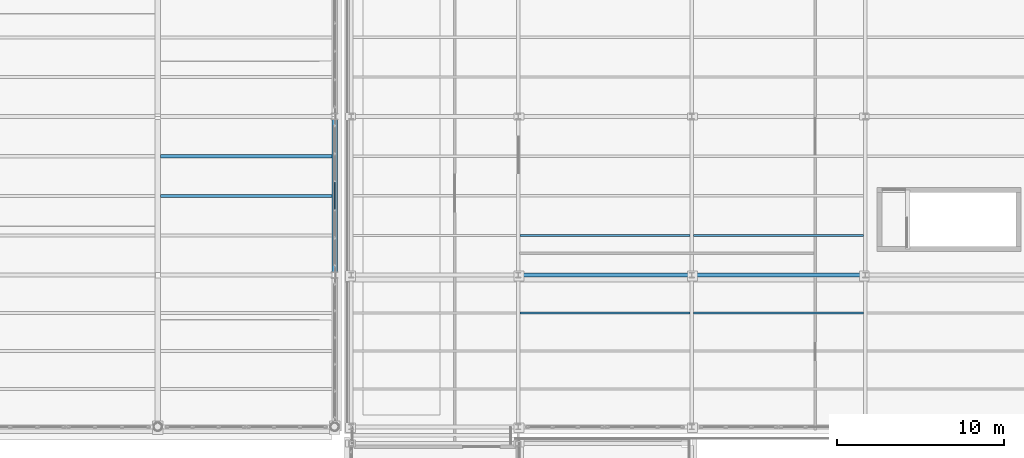
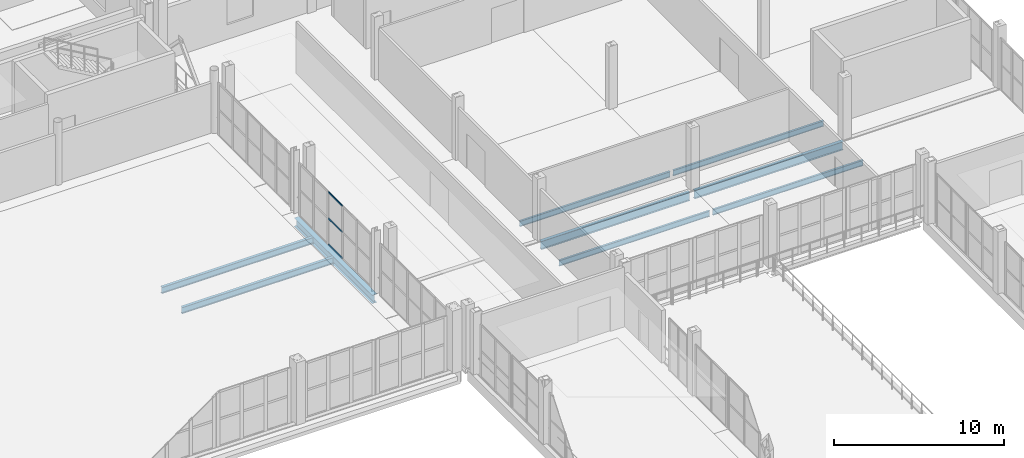
# One storey, part 88 of 156: 9 beams, 3 members, 1 element without a shape of its own.
"""IFC4 building model written with IfcOpenShell, lengths in metres."""

from ifc_helpers import new_model, si_unit, direction, frame, origin, origin_2d, place, context, subcontext, project, spatial, hollow_rectangle, i_section, extrude, material, material_profile, profile_set, type_object, element, aggregate, save


model = new_model("IFC4")

# Units and contexts
model_context = context("Model", 3, precision=1e-05, world=origin(), true_north=direction((0.0, 1.0)))
body_context = subcontext(model_context, "Body", "Model", "MODEL_VIEW")
ifc_project = project(units=[si_unit("LENGTHUNIT", "METRE"), si_unit("AREAUNIT", "SQUARE_METRE"), si_unit("VOLUMEUNIT", "CUBIC_METRE"), si_unit("PLANEANGLEUNIT", "RADIAN"), si_unit("MASSUNIT", "GRAM", prefix="KILO")], contexts=[model_context])

# Site, building, storey
site_placement = place(None, origin())
site = spatial("IfcSite", under=ifc_project, at=site_placement, CompositionType="ELEMENT")
building_placement = place(site_placement, origin())
building = spatial("IfcBuilding", under=site, at=building_placement, Name="Caurita Quay Ferry Terminal", CompositionType="ELEMENT")
storey_placement = place(building_placement, frame((0.0, 0.0, 5.39990234375)))
storey = spatial("IfcBuildingStorey", under=building, at=storey_placement, Name="L01", CompositionType="ELEMENT", Elevation=5.39990234375)

# Beams
ifc_material_1 = material(Name="Structural steel ASTM A992 Gr. 50", Category="steel")
ifc_material_profile_1 = material_profile(ifc_material_1, i_section(OverallWidth=0.3251953125, OverallDepth=0.612060546875, WebThickness=0.0126953125, FlangeThickness=0.01904296875, FilletRadius=0.01513671875, at=origin_2d()), Name="W24X104")
ifc_profile_set_1 = profile_set([ifc_material_profile_1], Name="Structural steel ASTM A992 Gr. 50")
beam_type_1 = type_object("IfcBeamType", Name="BM-GR-W24A", PredefinedType="BEAM", material=ifc_profile_set_1)
beam_1_placement = place(storey_placement, frame((131.800048828125, 43.8671875, -0.60595703125), z_axis=(0.0, 1.0, 0.0), x_axis=(-1.0, 0.0, 0.0)))
element("IfcBeam", 1, at=beam_1_placement, inside=storey, type_object=beam_type_1, Name="L01 Beam BM-V2-L01-Y-1318-439", PredefinedType="BEAM", context=body_context, shape_type="SweptSolid", body=[
    extrude(i_section(OverallWidth=0.3251953125, OverallDepth=0.612060546875, WebThickness=0.0126953125, FlangeThickness=0.01904296875, FilletRadius=0.01513671875, at=origin_2d()), origin(), (0.0, 0.0, 1.0), 9.16552734375),
])
ifc_material_profile_2 = material_profile(ifc_material_1, i_section(OverallWidth=0.22802734375, OverallDepth=0.60205078125, WebThickness=0.010498046875, FlangeThickness=0.014892578125, at=origin_2d()), Name="W24X68")
ifc_profile_set_2 = profile_set([ifc_material_profile_2], Name="Structural steel ASTM A992 Gr. 50")
beam_type_2 = type_object("IfcBeamType", Name="BM-GR-W24C", PredefinedType="BEAM", material=ifc_profile_set_2)
beam_2_placement = place(storey_placement, frame((142.95751953125, 43.699951171875, -0.535888671875), z_axis=(1.0, 0.0, 0.0), x_axis=(0.0, 1.0, 0.0)))
element("IfcBeam", 2, at=beam_2_placement, inside=storey, type_object=beam_type_2, Name="L01 Beam BM-V3H-L01-X-1430-437", PredefinedType="BEAM", context=body_context, shape_type="SweptSolid", body=[
    extrude(i_section(OverallWidth=0.22802734375, OverallDepth=0.60205078125, WebThickness=0.010498046875, FlangeThickness=0.014892578125, at=origin_2d()), origin(), (0.0, 0.0, 1.0), 10.0849609375),
])
beam_3_placement = place(storey_placement, frame((153.357666015625, 43.699951171875, -0.535888671875), z_axis=(1.0, 0.0, 0.0), x_axis=(0.0, 1.0, 0.0)))
element("IfcBeam", 3, at=beam_3_placement, inside=storey, type_object=beam_type_2, Name="L01 Beam BM-V3H-L01-X-1534-437", PredefinedType="BEAM", context=body_context, shape_type="SweptSolid", body=[
    extrude(i_section(OverallWidth=0.22802734375, OverallDepth=0.60205078125, WebThickness=0.010498046875, FlangeThickness=0.014892578125, at=origin_2d()), origin(), (0.0, 0.0, 1.0), 10.084716796875),
])
ifc_material_profile_3 = material_profile(ifc_material_1, i_section(OverallWidth=0.139892578125, OverallDepth=0.39892578125, WebThickness=0.00634765625, FlangeThickness=0.0087890625, at=origin_2d()), Name="W16X26")
ifc_profile_set_3 = profile_set([ifc_material_profile_3], Name="Structural steel ASTM A992 Gr. 50")
beam_type_3 = type_object("IfcBeamType", Name="BM-JS-W16C", PredefinedType="JOIST", material=ifc_profile_set_3)
for number, where, z_axis, x_axis, name in (
    (4, (142.905517578125, 41.425048828125, -0.434326171875), (1.0, 0.0, 0.0), (0.0, 1.0, 0.0), "L01 Beam JS-V3H-L01-014"),
    (5, (142.905517578125, 46.074951171875, -0.434326171875), (1.0, 0.0, 0.0), (0.0, 1.0, 0.0), "L01 Beam JS-V3H-L01-015"),
):
    element("IfcBeam", number, at=place(storey_placement, frame(where, z_axis=z_axis, x_axis=x_axis)), inside=storey, type_object=beam_type_3, Name=name, PredefinedType="JOIST", context=body_context, shape_type="SweptSolid", body=[
        extrude(i_section(OverallWidth=0.139892578125, OverallDepth=0.39892578125, WebThickness=0.00634765625, FlangeThickness=0.0087890625, at=origin_2d()), origin(), (0.0, 0.0, 1.0), 10.18896484375),
    ])
for number, where, z_axis, x_axis, name in (
    (6, (153.305419921875, 41.425048828125, -0.434326171875), (1.0, 0.0, 0.0), (0.0, 1.0, 0.0), "L01 Beam JS-V3H-L01-023"),
    (7, (153.305419921875, 46.074951171875, -0.434326171875), (1.0, 0.0, 0.0), (0.0, 1.0, 0.0), "L01 Beam JS-V3H-L01-024"),
):
    element("IfcBeam", number, at=place(storey_placement, frame(where, z_axis=z_axis, x_axis=x_axis)), inside=storey, type_object=beam_type_3, Name=name, PredefinedType="JOIST", context=body_context, shape_type="SweptSolid", body=[
        extrude(i_section(OverallWidth=0.139892578125, OverallDepth=0.39892578125, WebThickness=0.00634765625, FlangeThickness=0.0087890625, at=origin_2d()), origin(), (0.0, 0.0, 1.0), 10.189208984375),
    ])
ifc_material_profile_4 = material_profile(ifc_material_1, i_section(OverallWidth=0.1904296875, OverallDepth=0.457275390625, WebThickness=0.009033203125, FlangeThickness=0.014404296875, FilletRadius=0.0126953125, at=origin_2d()), Name="W18X50")
ifc_profile_set_4 = profile_set([ifc_material_profile_4], Name="Structural steel ASTM A992 Gr. 50")
beam_type_4 = type_object("IfcBeamType", Name="BM-JS-W18B", PredefinedType="JOIST", material=ifc_profile_set_4)
for number, where, z_axis, x_axis, name in (
    (8, (121.362548828125, 48.449951171875, -0.528564453125), (1.0, 0.0, 0.0), (0.0, 1.0, 0.0), "L01 Beam JS-V2-L01-035"),
    (9, (121.362548828125, 50.824951171875, -0.528564453125), (1.0, 0.0, 0.0), (0.0, 1.0, 0.0), "L01 Beam JS-V2-L01-036"),
):
    element("IfcBeam", number, at=place(storey_placement, frame(where, z_axis=z_axis, x_axis=x_axis)), inside=storey, type_object=beam_type_4, Name=name, PredefinedType="JOIST", context=body_context, shape_type="SweptSolid", body=[
        extrude(i_section(OverallWidth=0.1904296875, OverallDepth=0.457275390625, WebThickness=0.009033203125, FlangeThickness=0.014404296875, FilletRadius=0.0126953125, at=origin_2d()), origin(), (0.0, 0.0, 1.0), 10.27490234375),
    ])

# Curtain wall, members
ifc_material_2 = material(Name="Laminated solar-control insulated glass", Category="glass")
curtain_wall_type = type_object("IfcCurtainWallType", Name="CW-SYS-12", PredefinedType="NOTDEFINED", material=ifc_material_2)
curtain_wall_placement = place(storey_placement, origin())
curtain_wall = element("IfcCurtainWall", 10, at=curtain_wall_placement, inside=storey, type_object=curtain_wall_type, Name="Concourse Gable Curtain Wall 087", PredefinedType="NOTDEFINED")
ifc_material_3 = material(Name="Anodized aluminium 6063-T6", Category="aluminium")
ifc_material_profile_5 = material_profile(ifc_material_3, hollow_rectangle(XDim=0.06005859375, YDim=0.114990234375, WallThickness=0.00341796875, at=origin_2d()), Name="ALU-TRN-60X115")
ifc_profile_set_5 = profile_set([ifc_material_profile_5], Name="Anodized aluminium 6063-T6")
member_type = type_object("IfcMemberType", Name="CW-TRN-115", PredefinedType="USERDEFINED", material=ifc_profile_set_5)
member_1_placement = place(storey_placement, frame((131.800048828125, 47.634521484375, 0.030029296875), z_axis=(0.0, 1.0, 0.0), x_axis=(-1.0, 0.0, 0.0)))
member_1 = element("IfcMember", 11, at=member_1_placement, type_object=member_type, Name="CW-GBL-087 Transom 7", ObjectType="TRANSOM", PredefinedType="USERDEFINED", context=body_context, shape_type="SweptSolid", body=[
    extrude(hollow_rectangle(XDim=0.06005859375, YDim=0.114990234375, WallThickness=0.00341796875, at=origin_2d()), origin(), (0.0, 0.0, 1.0), 1.630859375),
])
member_2_placement = place(storey_placement, frame((131.800048828125, 47.634521484375, 1.900146484375), z_axis=(0.0, 1.0, 0.0), x_axis=(-1.0, 0.0, 0.0)))
member_2 = element("IfcMember", 12, at=member_2_placement, type_object=member_type, Name="CW-GBL-087 Transom 8", ObjectType="TRANSOM", PredefinedType="USERDEFINED", context=body_context, shape_type="SweptSolid", body=[
    extrude(hollow_rectangle(XDim=0.06005859375, YDim=0.114990234375, WallThickness=0.00341796875, at=origin_2d()), origin(), (0.0, 0.0, 1.0), 1.630859375),
])
member_3_placement = place(storey_placement, frame((131.800048828125, 47.634521484375, 3.77001953125), z_axis=(0.0, 1.0, 0.0), x_axis=(-1.0, 0.0, 0.0)))
member_3 = element("IfcMember", 13, at=member_3_placement, type_object=member_type, Name="CW-GBL-087 Transom 9", ObjectType="TRANSOM", PredefinedType="USERDEFINED", context=body_context, shape_type="SweptSolid", body=[
    extrude(hollow_rectangle(XDim=0.06005859375, YDim=0.114990234375, WallThickness=0.00341796875, at=origin_2d()), origin(), (0.0, 0.0, 1.0), 1.630859375),
])
aggregate(curtain_wall, [member_1, member_2, member_3])

save(model, "model.ifc")
